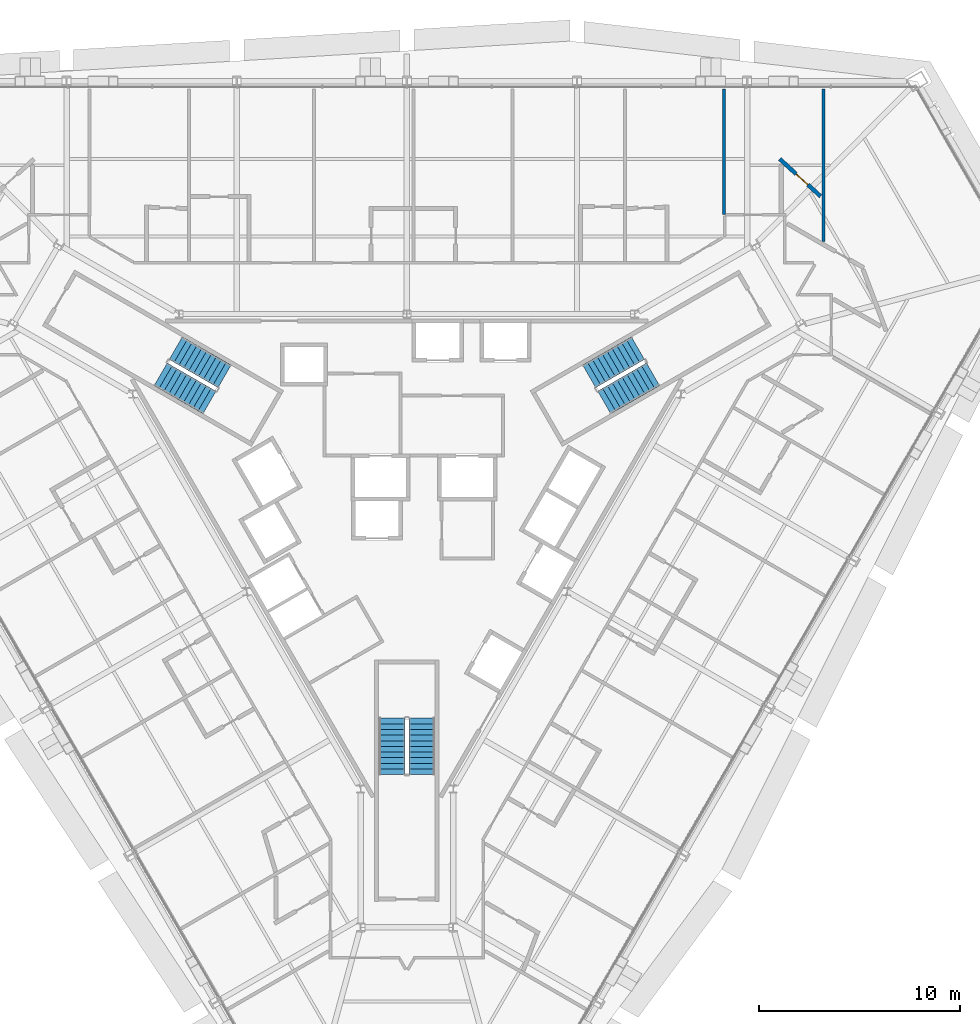
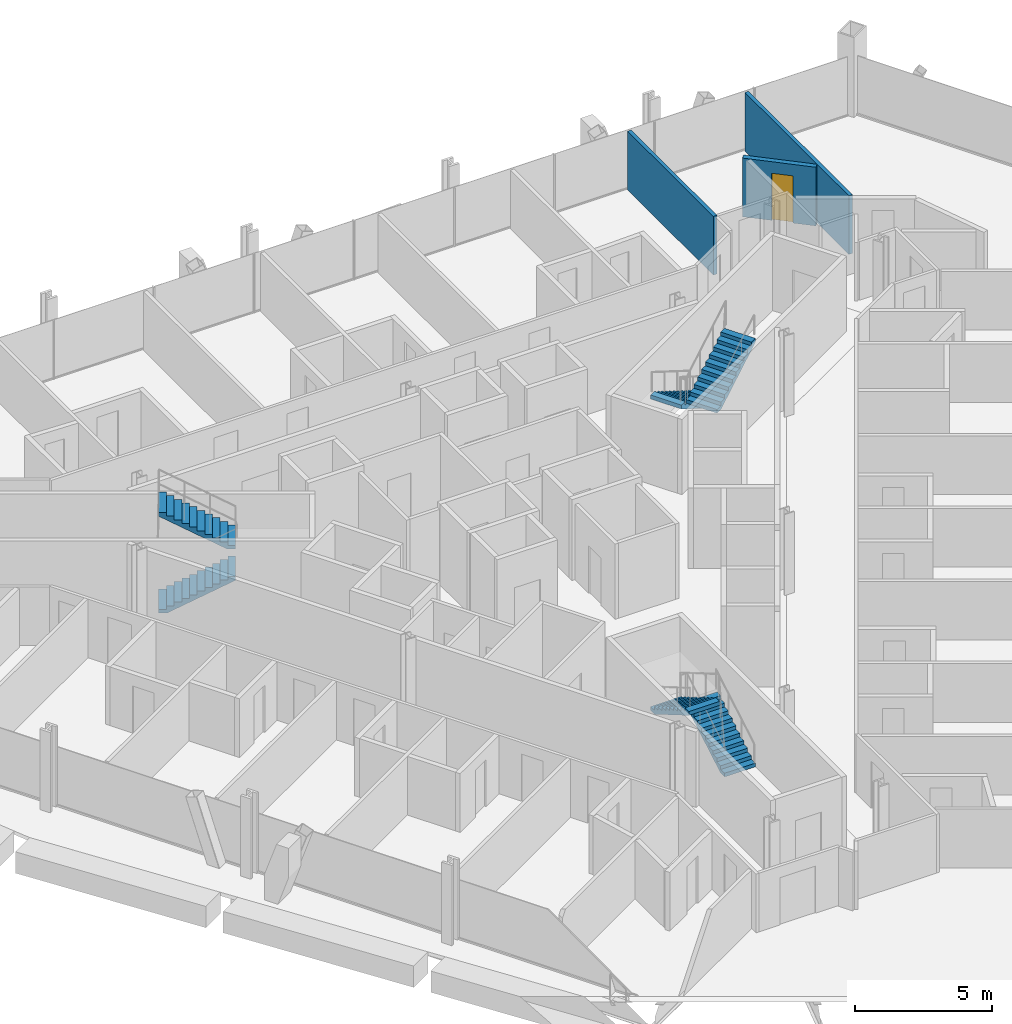
# One storey, part 15 of 17: 6 stair flights, 3 walls, 1 door, 1 opening, 3 elements without a shape of their own.
"""IFC4 building model written with IfcOpenShell, lengths in metres."""

from ifc_helpers import new_model, si_unit, direction, frame, frame_2d, origin, place, context, subcontext, project, spatial, polyline, rectangle, outline, extrude, material, layer, layer_set, type_object, element, fill, aggregate, save


model = new_model("IFC4")

# Units and contexts
model_context = context("Model", 3, precision=1e-05, world=origin(), true_north=direction((0.0, 1.0)))
body_context = subcontext(model_context, "Body", "Model", "MODEL_VIEW")
ifc_project = project(units=[si_unit("LENGTHUNIT", "METRE"), si_unit("AREAUNIT", "SQUARE_METRE"), si_unit("VOLUMEUNIT", "CUBIC_METRE"), si_unit("PLANEANGLEUNIT", "RADIAN"), si_unit("MASSUNIT", "GRAM", prefix="KILO")], contexts=[model_context])

# Site, building, storey
site_placement = place(None, origin())
site = spatial("IfcSite", under=ifc_project, at=site_placement, CompositionType="ELEMENT")
building_placement = place(site_placement, origin())
building = spatial("IfcBuilding", under=site, at=building_placement, Name="Verrane Prism Tower", CompositionType="ELEMENT")
storey_placement = place(building_placement, frame((0.0, 0.0, 40.39990234375)))
storey = spatial("IfcBuildingStorey", under=building, at=storey_placement, Name="L07", CompositionType="ELEMENT", Elevation=40.39990234375)

# Walls
ifc_material_1 = material(Name="Gypsum board partition", Category="other")
ifc_layer_1 = layer(ifc_material_1, 0.14990234375)
ifc_layer_set_1 = layer_set([ifc_layer_1], Name="PW-150 demising wall 1 h")
wall_type_1 = type_object("IfcWallType", Name="PW-150 demising wall 1 h", PredefinedType="PARTITIONING", material=ifc_layer_set_1)
wall_1_placement = place(storey_placement, frame((15.778076171875, 14.137451171875, 0.0), z_axis=(0.0, 0.0, 1.0), x_axis=(0.0, 1.0, 0.0)))
element("IfcWall", 1, at=wall_1_placement, inside=storey, type_object=wall_type_1, Name="Demising wall 084", PredefinedType="PARTITIONING", context=body_context, shape_type="SweptSolid", body=[
    extrude(rectangle(XDim=6.257568359375, YDim=0.14990234375, at=frame_2d((3.12890625, 0.0))), origin(), (0.0, 0.0, 1.0), 2.613037109375),
])
wall_2_placement = place(storey_placement, frame((20.715087890625, 12.810791015625, 0.0), z_axis=(0.0, 0.0, 1.0), x_axis=(0.0, 1.0, 0.0)))
element("IfcWall", 2, at=wall_2_placement, inside=storey, type_object=wall_type_1, Name="Demising wall 100", PredefinedType="PARTITIONING", context=body_context, shape_type="SweptSolid", body=[
    extrude(rectangle(XDim=7.584228515625, YDim=0.14990234375, at=frame_2d((3.7919921875, 0.0))), origin(), (0.0, 0.0, 1.0), 2.613037109375),
])

# Wall, opening, door
ifc_material_2 = material(Name="Gypsum board partition", Category="other")
ifc_layer_2 = layer(ifc_material_2, 0.199951171875)
ifc_layer_set_2 = layer_set([ifc_layer_2], Name="PW-200 plumbing wall")
wall_type_2 = type_object("IfcWallType", Name="PW-200 plumbing wall", PredefinedType="PARTITIONING", material=ifc_layer_set_2)
wall_3_placement = place(storey_placement, frame((20.572509765625, 15.050048828125, 0.0), z_axis=(0.0, 0.0, 1.0), x_axis=(-0.738508553587, 0.674244107337, 0.0)))
wall_3 = element("IfcWall", 3, at=wall_3_placement, inside=storey, type_object=wall_type_2, Name="Plumbing wall 093", PredefinedType="PARTITIONING", context=body_context, shape_type="SweptSolid", body=[
    extrude(rectangle(XDim=2.75048828125, YDim=0.199951171875, at=frame_2d((1.375244140625, 0.0))), origin(), (0.0, 0.0, 1.0), 2.613037109375),
])
opening_placement = place(wall_3_placement, frame((0.8505859375, 0.0, 0.0)))
opening = element("IfcOpeningElement", 4, at=opening_placement, cuts=wall_3, Name="Opening D06002", PredefinedType="OPENING", context=body_context, shape_type="SweptSolid", body=[
    extrude(rectangle(XDim=0.800048828125, YDim=2.10009765625, at=frame_2d((0.39990234375, 1.050048828125))), frame((0.0, 0.10986328125, 0.0), z_axis=(0.0, -1.0, 0.0), x_axis=(1.0, 0.0, 0.0)), (0.0, 0.0, 1.0), 0.219970703125),
])
ifc_material_3 = material(Name="Timber veneered door leaf", Category="wood")
door_type = type_object("IfcDoorType", Name="DR-800x2100 single leaf bath", OperationType="NOTDEFINED", PredefinedType="DOOR", material=ifc_material_3)
door_placement = place(opening_placement, origin())
door = element("IfcDoor", 5, at=door_placement, inside=storey, type_object=door_type, Name="En-Suite door", OperationType="SINGLE_SWING_LEFT", OverallHeight=2.10009765625, OverallWidth=0.800048828125, PredefinedType="DOOR", context=body_context, shape_type="SweptSolid", body=[
    extrude(rectangle(XDim=0.800048828125, YDim=2.10009765625, at=frame_2d((0.39990234375, 1.050048828125))), frame((0.0, 0.02490234375, 0.0), z_axis=(0.0, -1.0, 0.0), x_axis=(1.0, 0.0, 0.0)), (0.0, 0.0, 1.0), 0.050048828125),
])
fill(opening, door)

# Stair, stair flights
ifc_material_4 = material(Name="Concrete C40/50", Category="concrete")
stair_type = type_object("IfcStairType", Name="Exit stair 1300 dog-leg precast concrete C40/50", PredefinedType="HALF_TURN_STAIR", material=ifc_material_4)
stair_1_placement = place(storey_placement, origin())
stair_1 = element("IfcStair", 6, at=stair_1_placement, inside=storey, type_object=stair_type, Name="Stair 1 L07", PredefinedType="HALF_TURN_STAIR")
ifc_material_5 = material(Name="Concrete C40/50", Category="concrete")
stair_flight_type = type_object("IfcStairFlightType", Name="Stair flight 1300 precast concrete C40/50", PredefinedType="STRAIGHT", material=ifc_material_5)
stair_flight_1_placement = place(storey_placement, frame((11.489501953125, 7.49951171875, 0.0), z_axis=(0.0, 0.0, 1.0), x_axis=(-0.866025403784, -0.5, 0.0)))
stair_flight_1 = element("IfcStairFlight", 7, at=stair_flight_1_placement, type_object=stair_flight_type, Name="Stair 1 flight 1", NumberOfRisers=11, NumberOfTreads=10, PredefinedType="STRAIGHT", RiserHeight=0.163636364, TreadLength=0.28, context=body_context, shape_type="SweptSolid", body=[
    extrude(outline(polyline([(0.0, 0.0), (0.0, 0.16357421875), (0.280029296875, 0.16357421875), (0.280029296875, 0.327392578125), (0.56005859375, 0.327392578125), (0.56005859375, 0.490966796875), (0.840087890625, 0.490966796875), (0.840087890625, 0.654541015625), (1.1201171875, 0.654541015625), (1.1201171875, 0.818115234375), (1.39990234375, 0.818115234375), (1.39990234375, 0.98193359375), (1.679931640625, 0.98193359375), (1.679931640625, 1.1455078125), (1.9599609375, 1.1455078125), (1.9599609375, 1.30908203125), (2.239990234375, 1.30908203125), (2.239990234375, 1.47265625), (2.52001953125, 1.47265625), (2.52001953125, 1.636474609375), (2.800048828125, 1.636474609375), (2.800048828125, 1.800048828125), (2.800048828125, 1.462646484375), (0.297119140625, 0.0), (0.0, 0.0)])), frame((0.0, 0.64990234375, 0.0), z_axis=(0.0, -1.0, 0.0), x_axis=(1.0, 0.0, 0.0)), (0.0, 0.0, 1.0), 1.300048828125),
])
stair_flight_2_placement = place(storey_placement, frame((9.814697265625, 4.800537109375, 1.800048828125), z_axis=(0.0, 0.0, 1.0), x_axis=(0.866025403784, 0.5, 0.0)))
stair_flight_2 = element("IfcStairFlight", 8, at=stair_flight_2_placement, type_object=stair_flight_type, Name="Stair 1 flight 2", NumberOfRisers=11, NumberOfTreads=10, PredefinedType="STRAIGHT", RiserHeight=0.163636364, TreadLength=0.28, context=body_context, shape_type="SweptSolid", body=[
    extrude(outline(polyline([(0.0, 0.0), (0.0, 0.16357421875), (0.280029296875, 0.16357421875), (0.280029296875, 0.327392578125), (0.56005859375, 0.327392578125), (0.56005859375, 0.490966796875), (0.840087890625, 0.490966796875), (0.840087890625, 0.654541015625), (1.1201171875, 0.654541015625), (1.1201171875, 0.818115234375), (1.39990234375, 0.818115234375), (1.39990234375, 0.98193359375), (1.679931640625, 0.98193359375), (1.679931640625, 1.1455078125), (1.9599609375, 1.1455078125), (1.9599609375, 1.30908203125), (2.239990234375, 1.30908203125), (2.239990234375, 1.47265625), (2.52001953125, 1.47265625), (2.52001953125, 1.636474609375), (2.800048828125, 1.636474609375), (2.800048828125, 1.800048828125), (2.800048828125, 1.462646484375), (0.297119140625, 0.0), (0.0, 0.0)])), frame((0.0, 0.64990234375, 0.0), z_axis=(0.0, -1.0, 0.0), x_axis=(1.0, 0.0, 0.0)), (0.0, 0.0, 1.0), 1.300048828125),
])
aggregate(stair_1, [stair_flight_1, stair_flight_2])

stair_2_placement = place(storey_placement, origin())
stair_2 = element("IfcStair", 9, at=stair_2_placement, inside=storey, type_object=stair_type, Name="Stair 2 L07", PredefinedType="HALF_TURN_STAIR")
stair_flight_3_placement = place(storey_placement, frame((-12.239501953125, 6.200439453125, 0.0), z_axis=(0.0, 0.0, 1.0), x_axis=(0.866025403784, -0.5, 0.0)))
stair_flight_3 = element("IfcStairFlight", 10, at=stair_flight_3_placement, type_object=stair_flight_type, Name="Stair 2 flight 1", NumberOfRisers=11, NumberOfTreads=10, PredefinedType="STRAIGHT", RiserHeight=0.163636364, TreadLength=0.28, context=body_context, shape_type="SweptSolid", body=[
    extrude(outline(polyline([(0.0, 0.0), (0.0, 0.16357421875), (0.280029296875, 0.16357421875), (0.280029296875, 0.327392578125), (0.56005859375, 0.327392578125), (0.56005859375, 0.490966796875), (0.840087890625, 0.490966796875), (0.840087890625, 0.654541015625), (1.1201171875, 0.654541015625), (1.1201171875, 0.818115234375), (1.39990234375, 0.818115234375), (1.39990234375, 0.98193359375), (1.679931640625, 0.98193359375), (1.679931640625, 1.1455078125), (1.9599609375, 1.1455078125), (1.9599609375, 1.30908203125), (2.239990234375, 1.30908203125), (2.239990234375, 1.47265625), (2.52001953125, 1.47265625), (2.52001953125, 1.636474609375), (2.800048828125, 1.636474609375), (2.800048828125, 1.800048828125), (2.800048828125, 1.462646484375), (0.297119140625, 0.0), (0.0, 0.0)])), frame((0.0, 0.64990234375, 0.0), z_axis=(0.0, -1.0, 0.0), x_axis=(1.0, 0.0, 0.0)), (0.0, 0.0, 1.0), 1.300048828125),
])
stair_flight_4_placement = place(storey_placement, frame((-9.064697265625, 6.099609375, 1.800048828125), z_axis=(0.0, 0.0, 1.0), x_axis=(-0.866025403784, 0.5, 0.0)))
stair_flight_4 = element("IfcStairFlight", 11, at=stair_flight_4_placement, type_object=stair_flight_type, Name="Stair 2 flight 2", NumberOfRisers=11, NumberOfTreads=10, PredefinedType="STRAIGHT", RiserHeight=0.163636364, TreadLength=0.28, context=body_context, shape_type="SweptSolid", body=[
    extrude(outline(polyline([(0.0, 0.0), (0.0, 0.16357421875), (0.280029296875, 0.16357421875), (0.280029296875, 0.327392578125), (0.56005859375, 0.327392578125), (0.56005859375, 0.490966796875), (0.840087890625, 0.490966796875), (0.840087890625, 0.654541015625), (1.1201171875, 0.654541015625), (1.1201171875, 0.818115234375), (1.39990234375, 0.818115234375), (1.39990234375, 0.98193359375), (1.679931640625, 0.98193359375), (1.679931640625, 1.1455078125), (1.9599609375, 1.1455078125), (1.9599609375, 1.30908203125), (2.239990234375, 1.30908203125), (2.239990234375, 1.47265625), (2.52001953125, 1.47265625), (2.52001953125, 1.636474609375), (2.800048828125, 1.636474609375), (2.800048828125, 1.800048828125), (2.800048828125, 1.462646484375), (0.297119140625, 0.0), (0.0, 0.0)])), frame((0.0, 0.64990234375, 0.0), z_axis=(0.0, -1.0, 0.0), x_axis=(1.0, 0.0, 0.0)), (0.0, 0.0, 1.0), 1.300048828125),
])
aggregate(stair_2, [stair_flight_3, stair_flight_4])

stair_3_placement = place(storey_placement, origin())
stair_3 = element("IfcStair", 12, at=stair_3_placement, inside=storey, type_object=stair_type, Name="Stair 3 L07", PredefinedType="HALF_TURN_STAIR")
stair_flight_5_placement = place(storey_placement, frame((0.75, -13.699951171875, 0.0), z_axis=(0.0, 0.0, 1.0), x_axis=(0.0, 1.0, 0.0)))
stair_flight_5 = element("IfcStairFlight", 13, at=stair_flight_5_placement, type_object=stair_flight_type, Name="Stair 3 flight 1", NumberOfRisers=11, NumberOfTreads=10, PredefinedType="STRAIGHT", RiserHeight=0.163636364, TreadLength=0.28, context=body_context, shape_type="SweptSolid", body=[
    extrude(outline(polyline([(0.0, 0.0), (0.0, 0.16357421875), (0.280029296875, 0.16357421875), (0.280029296875, 0.327392578125), (0.56005859375, 0.327392578125), (0.56005859375, 0.490966796875), (0.840087890625, 0.490966796875), (0.840087890625, 0.654541015625), (1.1201171875, 0.654541015625), (1.1201171875, 0.818115234375), (1.39990234375, 0.818115234375), (1.39990234375, 0.98193359375), (1.679931640625, 0.98193359375), (1.679931640625, 1.1455078125), (1.9599609375, 1.1455078125), (1.9599609375, 1.30908203125), (2.239990234375, 1.30908203125), (2.239990234375, 1.47265625), (2.52001953125, 1.47265625), (2.52001953125, 1.636474609375), (2.800048828125, 1.636474609375), (2.800048828125, 1.800048828125), (2.800048828125, 1.462646484375), (0.297119140625, 0.0), (0.0, 0.0)])), frame((0.0, 0.64990234375, 0.0), z_axis=(0.0, -1.0, 0.0), x_axis=(1.0, 0.0, 0.0)), (0.0, 0.0, 1.0), 1.300048828125),
])
stair_flight_6_placement = place(storey_placement, frame((-0.75, -10.89990234375, 1.800048828125), z_axis=(0.0, 0.0, 1.0), x_axis=(0.0, -1.0, 0.0)))
stair_flight_6 = element("IfcStairFlight", 14, at=stair_flight_6_placement, type_object=stair_flight_type, Name="Stair 3 flight 2", NumberOfRisers=11, NumberOfTreads=10, PredefinedType="STRAIGHT", RiserHeight=0.163636364, TreadLength=0.28, context=body_context, shape_type="SweptSolid", body=[
    extrude(outline(polyline([(0.0, 0.0), (0.0, 0.16357421875), (0.280029296875, 0.16357421875), (0.280029296875, 0.327392578125), (0.56005859375, 0.327392578125), (0.56005859375, 0.490966796875), (0.840087890625, 0.490966796875), (0.840087890625, 0.654541015625), (1.1201171875, 0.654541015625), (1.1201171875, 0.818115234375), (1.39990234375, 0.818115234375), (1.39990234375, 0.98193359375), (1.679931640625, 0.98193359375), (1.679931640625, 1.1455078125), (1.9599609375, 1.1455078125), (1.9599609375, 1.30908203125), (2.239990234375, 1.30908203125), (2.239990234375, 1.47265625), (2.52001953125, 1.47265625), (2.52001953125, 1.636474609375), (2.800048828125, 1.636474609375), (2.800048828125, 1.800048828125), (2.800048828125, 1.462646484375), (0.297119140625, 0.0), (0.0, 0.0)])), frame((0.0, 0.64990234375, 0.0), z_axis=(0.0, -1.0, 0.0), x_axis=(1.0, 0.0, 0.0)), (0.0, 0.0, 1.0), 1.300048828125),
])
aggregate(stair_3, [stair_flight_5, stair_flight_6])

save(model, "model.ifc")
